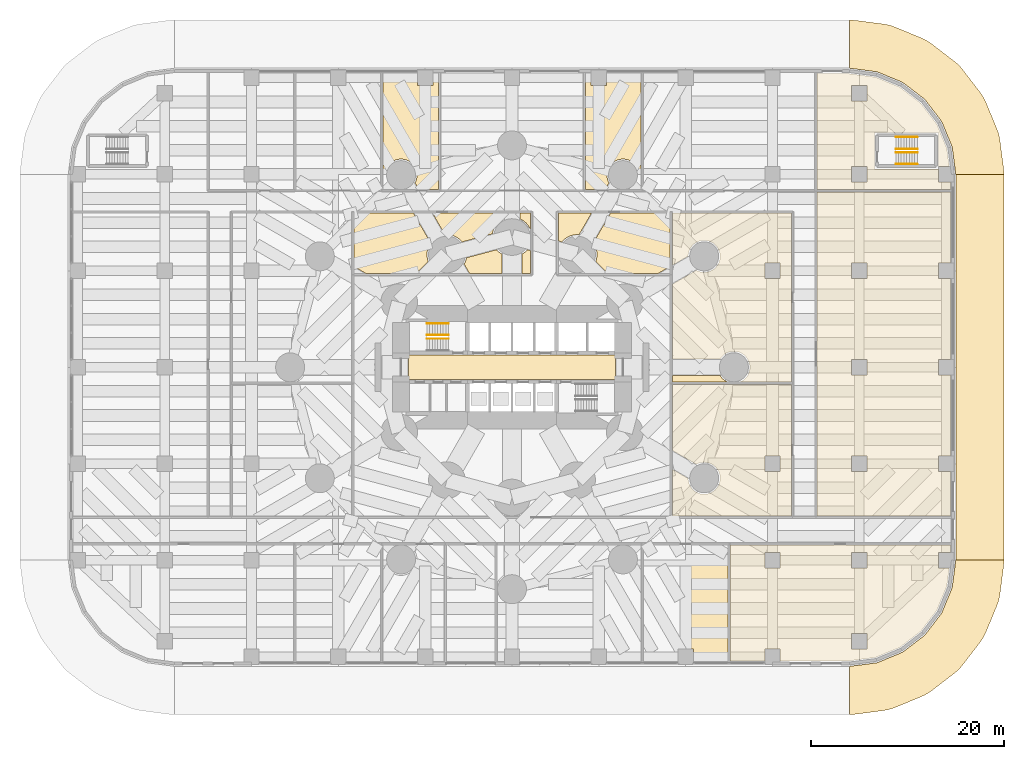
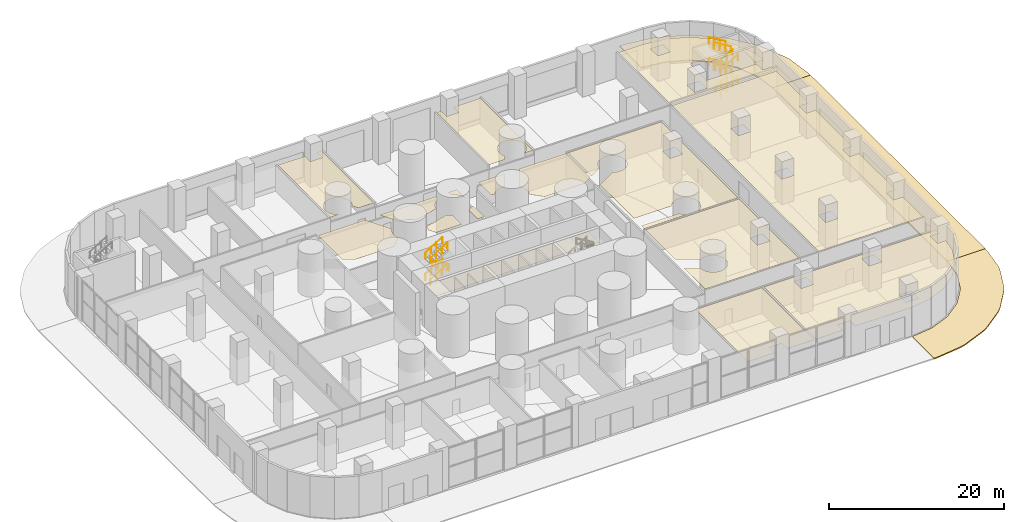
# One storey, part 18 of 20: 20 coverings, 13 railings.
"""IFC4 building model written with IfcOpenShell, lengths in metres."""

from ifc_helpers import new_model, si_unit, direction, frame, origin, origin_2d, place, context, subcontext, project, spatial, polyline, circle, outline, extrude, material, layer, layer_set, type_object, element, save


model = new_model("IFC4")

# Units and contexts
model_context = context("Model", 3, precision=1e-05, world=origin(), true_north=direction((0.0, 1.0)))
body_context = subcontext(model_context, "Body", "Model", "MODEL_VIEW")
ifc_project = project(units=[si_unit("LENGTHUNIT", "METRE"), si_unit("AREAUNIT", "SQUARE_METRE"), si_unit("VOLUMEUNIT", "CUBIC_METRE"), si_unit("PLANEANGLEUNIT", "RADIAN"), si_unit("MASSUNIT", "GRAM", prefix="KILO")], contexts=[model_context])

# Site, building, storey
site_placement = place(None, origin())
site = spatial("IfcSite", under=ifc_project, at=site_placement, CompositionType="ELEMENT")
building_placement = place(site_placement, origin())
building = spatial("IfcBuilding", under=site, at=building_placement, Name="Qaws Media Tower", CompositionType="ELEMENT")
storey_placement = place(building_placement, origin())
storey = spatial("IfcBuildingStorey", under=building, at=storey_placement, Name="L00", CompositionType="ELEMENT", Elevation=0.0)

# Coverings
ifc_material_1 = material(Name="600 x 600 mineral fibre tiles in exposed grid, suspended", Category="mineral fibre")
ifc_layer_1 = layer(ifc_material_1, 0.02001953125)
ifc_layer_set_1 = layer_set([ifc_layer_1], Name="Mineral fibre tile ceiling 20")
covering_type_1 = type_object("IfcCoveringType", Name="Mineral fibre tile ceiling 20", PredefinedType="CEILING", material=ifc_layer_set_1)
covering_1_placement = place(storey_placement, frame((0.0, 0.0, 3.60009765625)))
element("IfcCovering", 1, at=covering_1_placement, inside=storey, type_object=covering_type_1, Name="CL1 ceiling L00-00-1 Exit lobby S4", PredefinedType="CEILING", context=body_context, shape_type="SweptSolid", body=[
    extrude(outline(polyline([(97.698974609375, 80.072509765625), (100.2138671875, 79.030517578125), (102.37353515625, 77.37353515625), (104.030517578125, 75.2138671875), (105.072509765625, 72.698974609375), (105.322509765625, 70.800048828125), (104.219970703125, 70.800048828125), (104.219970703125, 74.320068359375), (97.580078125, 74.320068359375), (97.580078125, 70.580078125), (104.199951171875, 70.580078125), (104.199951171875, 69.199951171875), (105.429931640625, 69.199951171875), (105.429931640625, 68.419921875), (91.6201171875, 68.419921875), (91.6201171875, 80.429931640625), (94.982421875, 80.429931640625), (97.698974609375, 80.072509765625)]), holes=[polyline([(95.199951171875, 69.199951171875), (96.800048828125, 69.199951171875), (96.800048828125, 70.800048828125), (95.199951171875, 70.800048828125), (95.199951171875, 69.199951171875)]), polyline([(95.199951171875, 77.60009765625), (96.800048828125, 77.60009765625), (96.800048828125, 79.199951171875), (95.199951171875, 79.199951171875), (95.199951171875, 77.60009765625)])]), origin(), (0.0, 0.0, 1.0), 0.02001953125),
])
covering_2_placement = place(storey_placement, frame((0.0, 0.0, 3.60009765625)))
element("IfcCovering", 2, at=covering_2_placement, inside=storey, type_object=covering_type_1, Name="CL1 ceiling L00-12 Media shop", PredefinedType="CEILING", context=body_context, shape_type="SweptSolid", body=[
    extrude(outline(polyline([(88.97998046875, 34.570068359375), (76.6201171875, 34.570068359375), (76.6201171875, 39.4228515625), (78.26025390625, 38.47607421875), (78.272705078125, 38.283203125), (78.315185546875, 38.0703125), (78.385009765625, 37.86474609375), (78.48095703125, 37.669921875), (78.6015625, 37.489501953125), (78.744873046875, 37.326171875), (78.907958984375, 37.18310546875), (79.088623046875, 37.0625), (79.283203125, 36.96630859375), (79.489013671875, 36.896484375), (79.701904296875, 36.854248046875), (79.918701171875, 36.840087890625), (80.13525390625, 36.854248046875), (80.34814453125, 36.896484375), (80.5537109375, 36.96630859375), (80.74853515625, 37.0625), (80.92919921875, 37.18310546875), (81.09228515625, 37.326171875), (81.235595703125, 37.489501953125), (81.356201171875, 37.669921875), (81.4521484375, 37.86474609375), (81.52197265625, 38.0703125), (81.564453125, 38.283203125), (81.57861328125, 38.5), (81.564453125, 38.716796875), (81.52197265625, 38.9296875), (81.4521484375, 39.13525390625), (81.356201171875, 39.330078125), (81.235595703125, 39.510498046875), (81.09228515625, 39.673828125), (80.92919921875, 39.81689453125), (80.74853515625, 39.9375), (80.5537109375, 40.03369140625), (80.34814453125, 40.103515625), (80.13525390625, 40.145751953125), (79.918701171875, 40.159912109375), (79.701904296875, 40.145751953125), (79.489013671875, 40.103515625), (79.283203125, 40.03369140625), (79.110107421875, 39.9482421875), (76.6201171875, 41.385986328125), (76.6201171875, 48.22998046875), (88.97998046875, 48.22998046875), (88.97998046875, 34.570068359375)]), holes=[polyline([(87.800048828125, 39.199951171875), (87.800048828125, 40.800048828125), (86.199951171875, 40.800048828125), (86.199951171875, 39.199951171875), (87.800048828125, 39.199951171875)])]), origin(), (0.0, 0.0, 1.0), 0.02001953125),
])
covering_3_placement = place(storey_placement, frame((0.0, 0.0, 3.60009765625)))
element("IfcCovering", 3, at=covering_3_placement, inside=storey, type_object=covering_type_1, Name="CL1 ceiling L00-13 Outside broadcast workshop", PredefinedType="CEILING", context=body_context, shape_type="SweptSolid", body=[
    extrude(outline(polyline([(105.429931640625, 68.179931640625), (105.429931640625, 60.800048828125), (104.199951171875, 60.800048828125), (104.199951171875, 59.199951171875), (105.429931640625, 59.199951171875), (105.429931640625, 50.800048828125), (104.199951171875, 50.800048828125), (104.199951171875, 49.199951171875), (105.429931640625, 49.199951171875), (105.429931640625, 40.800048828125), (104.199951171875, 40.800048828125), (104.199951171875, 39.199951171875), (105.429931640625, 39.199951171875), (105.429931640625, 34.570068359375), (91.6201171875, 34.570068359375), (91.6201171875, 68.179931640625), (105.429931640625, 68.179931640625)]), holes=[polyline([(95.199951171875, 39.199951171875), (96.800048828125, 39.199951171875), (96.800048828125, 40.800048828125), (95.199951171875, 40.800048828125), (95.199951171875, 39.199951171875)]), polyline([(95.199951171875, 49.199951171875), (96.800048828125, 49.199951171875), (96.800048828125, 50.800048828125), (95.199951171875, 50.800048828125), (95.199951171875, 49.199951171875)]), polyline([(95.199951171875, 59.199951171875), (96.800048828125, 59.199951171875), (96.800048828125, 60.800048828125), (95.199951171875, 60.800048828125), (95.199951171875, 59.199951171875)])]), origin(), (0.0, 0.0, 1.0), 0.02001953125),
])
covering_4_placement = place(storey_placement, frame((0.0, 0.0, 3.60009765625)))
element("IfcCovering", 4, at=covering_4_placement, inside=storey, type_object=covering_type_1, Name="CL1 ceiling L00-18 Retail unit 2", PredefinedType="CEILING", context=body_context, shape_type="SweptSolid", body=[
    extrude(outline(polyline([(105.429931640625, 30.800048828125), (104.199951171875, 30.800048828125), (104.199951171875, 29.199951171875), (105.322509765625, 29.199951171875), (105.072509765625, 27.301025390625), (104.030517578125, 24.7861328125), (102.37353515625, 22.62646484375), (100.2138671875, 20.969482421875), (97.698974609375, 19.927490234375), (94.982421875, 19.570068359375), (87.800048828125, 19.570068359375), (87.800048828125, 20.800048828125), (86.199951171875, 20.800048828125), (86.199951171875, 19.570068359375), (82.6201171875, 19.570068359375), (82.6201171875, 31.580078125), (105.429931640625, 31.580078125), (105.429931640625, 30.800048828125)]), holes=[polyline([(95.199951171875, 20.800048828125), (96.800048828125, 20.800048828125), (96.800048828125, 22.39990234375), (95.199951171875, 22.39990234375), (95.199951171875, 20.800048828125)]), polyline([(95.199951171875, 30.800048828125), (95.199951171875, 29.199951171875), (96.800048828125, 29.199951171875), (96.800048828125, 30.800048828125), (95.199951171875, 30.800048828125)]), polyline([(86.199951171875, 29.199951171875), (87.800048828125, 29.199951171875), (87.800048828125, 30.800048828125), (86.199951171875, 30.800048828125), (86.199951171875, 29.199951171875)])]), origin(), (0.0, 0.0, 1.0), 0.02001953125),
])
ifc_material_2 = material(Name="Two layers 12.5 moisture-resistant plasterboard on suspended metal furring", Category="gypsum")
ifc_layer_2 = layer(ifc_material_2, 0.02490234375)
ifc_layer_set_2 = layer_set([ifc_layer_2], Name="Plasterboard ceiling 25")
covering_type_2 = type_object("IfcCoveringType", Name="Plasterboard ceiling 25", PredefinedType="CEILING", material=ifc_layer_set_2)
covering_5_placement = place(storey_placement, frame((0.0, 0.0, 3.60009765625)))
element("IfcCovering", 5, at=covering_5_placement, inside=storey, type_object=covering_type_2, Name="CL2 ceiling L00-C01 Lift lobby", PredefinedType="CEILING", context=body_context, shape_type="SweptSolid", body=[
    extrude(outline(polyline([(49.25, 48.75), (49.25, 51.25), (70.75, 51.25), (70.75, 48.75), (49.25, 48.75)])), origin(), (0.0, 0.0, 1.0), 0.02490234375),
])
covering_6_placement = place(storey_placement, frame((0.0, 0.0, 3.60009765625)))
element("IfcCovering", 6, at=covering_6_placement, inside=storey, type_object=covering_type_2, Name="CL2 ceiling L00-04 Courier office", PredefinedType="CEILING", context=body_context, shape_type="SweptSolid", body=[
    extrude(outline(polyline([(51.466064453125, 62.72119140625), (51.3466796875, 62.479736328125), (51.26025390625, 62.224609375), (51.20751953125, 61.960205078125), (51.18994140625, 61.69140625), (51.20751953125, 61.422607421875), (51.26025390625, 61.158203125), (51.32470703125, 60.968017578125), (50.07666015625, 59.719970703125), (44.864501953125, 59.719970703125), (43.6201171875, 60.4384765625), (43.6201171875, 65.97998046875), (49.79248046875, 65.97998046875), (51.577392578125, 62.88818359375), (51.466064453125, 62.72119140625)])), origin(), (0.0, 0.0, 1.0), 0.02490234375),
])
covering_7_placement = place(storey_placement, frame((0.0, 0.0, 3.60009765625)))
element("IfcCovering", 7, at=covering_7_placement, inside=storey, type_object=covering_type_2, Name="CL2 ceiling L00-04 Courier office", PredefinedType="CEILING", context=body_context, shape_type="SweptSolid", body=[
    extrude(outline(polyline([(58.969970703125, 65.283935546875), (58.74609375, 65.13427734375), (58.54345703125, 64.95654296875), (58.36572265625, 64.75390625), (58.216064453125, 64.530029296875), (58.0966796875, 64.288330078125), (58.01025390625, 64.033203125), (57.970947265625, 63.836181640625), (54.839111328125, 62.9970703125), (54.70654296875, 63.14794921875), (54.50390625, 63.32568359375), (54.280029296875, 63.475341796875), (54.038330078125, 63.594482421875), (53.783203125, 63.68115234375), (53.518798828125, 63.733642578125), (53.25, 63.751220703125), (53.0498046875, 63.73828125), (51.75537109375, 65.97998046875), (59.14990234375, 65.97998046875), (59.14990234375, 65.372802734375), (58.969970703125, 65.283935546875)])), origin(), (0.0, 0.0, 1.0), 0.02490234375),
])
covering_8_placement = place(storey_placement, frame((0.0, 0.0, 3.60009765625)))
element("IfcCovering", 8, at=covering_8_placement, inside=storey, type_object=covering_type_2, Name="CL2 ceiling L00-04 Courier office", PredefinedType="CEILING", context=body_context, shape_type="SweptSolid", body=[
    extrude(outline(polyline([(58.54345703125, 62.04345703125), (58.74609375, 61.86572265625), (58.949951171875, 61.7294921875), (58.949951171875, 59.719970703125), (55.6005859375, 59.719970703125), (55.044677734375, 60.682861328125), (55.1533203125, 60.903076171875), (55.23974609375, 61.158203125), (55.279052734375, 61.35498046875), (58.410888671875, 62.1943359375), (58.54345703125, 62.04345703125)])), origin(), (0.0, 0.0, 1.0), 0.02490234375),
])
covering_9_placement = place(storey_placement, frame((0.0, 0.0, 3.60009765625)))
element("IfcCovering", 9, at=covering_9_placement, inside=storey, type_object=covering_type_2, Name="CL2 ceiling L00-04 Courier office", PredefinedType="CEILING", context=body_context, shape_type="SweptSolid", body=[
    extrude(outline(polyline([(61.25390625, 61.86572265625), (61.45654296875, 62.04345703125), (61.589111328125, 62.1943359375), (61.929931640625, 62.102783203125), (61.929931640625, 59.719970703125), (61.050048828125, 59.719970703125), (61.050048828125, 61.7294921875), (61.25390625, 61.86572265625)])), origin(), (0.0, 0.0, 1.0), 0.02490234375),
])
covering_10_placement = place(storey_placement, frame((0.0, 0.0, 3.60009765625)))
element("IfcCovering", 10, at=covering_10_placement, inside=storey, type_object=covering_type_2, Name="CL2 ceiling L00-04 Courier office", PredefinedType="CEILING", context=body_context, shape_type="SweptSolid", body=[
    extrude(outline(polyline([(61.929931640625, 64.20947265625), (61.9033203125, 64.288330078125), (61.783935546875, 64.530029296875), (61.63427734375, 64.75390625), (61.45654296875, 64.95654296875), (61.25390625, 65.13427734375), (61.030029296875, 65.283935546875), (60.85009765625, 65.372802734375), (60.85009765625, 65.97998046875), (61.929931640625, 65.97998046875), (61.929931640625, 64.20947265625)])), origin(), (0.0, 0.0, 1.0), 0.02490234375),
])
covering_11_placement = place(storey_placement, frame((0.0, 0.0, 3.60009765625)))
element("IfcCovering", 11, at=covering_11_placement, inside=storey, type_object=covering_type_2, Name="CL2 ceiling L00-06 Facilities management office", PredefinedType="CEILING", context=body_context, shape_type="SweptSolid", body=[
    extrude(outline(polyline([(76.3798828125, 60.4384765625), (75.135498046875, 59.719970703125), (69.92333984375, 59.719970703125), (68.67529296875, 60.968017578125), (68.73974609375, 61.158203125), (68.79248046875, 61.422607421875), (68.81005859375, 61.69140625), (68.79248046875, 61.960205078125), (68.73974609375, 62.224609375), (68.6533203125, 62.479736328125), (68.533935546875, 62.72119140625), (68.422607421875, 62.88818359375), (70.20751953125, 65.97998046875), (76.3798828125, 65.97998046875), (76.3798828125, 60.4384765625)])), origin(), (0.0, 0.0, 1.0), 0.02490234375),
])
covering_12_placement = place(storey_placement, frame((0.0, 0.0, 3.60009765625)))
element("IfcCovering", 12, at=covering_12_placement, inside=storey, type_object=covering_type_2, Name="CL2 ceiling L00-06 Facilities management office", PredefinedType="CEILING", context=body_context, shape_type="SweptSolid", body=[
    extrude(outline(polyline([(66.75, 63.751220703125), (66.481201171875, 63.733642578125), (66.216796875, 63.68115234375), (65.961669921875, 63.594482421875), (65.719970703125, 63.475341796875), (65.49609375, 63.32568359375), (65.29345703125, 63.14794921875), (65.160888671875, 62.9970703125), (64.820068359375, 63.08837890625), (64.820068359375, 65.97998046875), (68.24462890625, 65.97998046875), (66.9501953125, 63.73828125), (66.75, 63.751220703125)])), origin(), (0.0, 0.0, 1.0), 0.02490234375),
])
covering_13_placement = place(storey_placement, frame((0.0, 0.0, 3.60009765625)))
element("IfcCovering", 13, at=covering_13_placement, inside=storey, type_object=covering_type_2, Name="CL2 ceiling L00-09 Goods inwards office", PredefinedType="CEILING", context=body_context, shape_type="SweptSolid", body=[
    extrude(outline(polyline([(50.199951171875, 80.429931640625), (50.199951171875, 79.199951171875), (51.800048828125, 79.199951171875), (51.800048828125, 80.429931640625), (52.3798828125, 80.429931640625), (52.3798828125, 68.419921875), (50.3466796875, 68.419921875), (49.9482421875, 69.110107421875), (50.03369140625, 69.283203125), (50.103515625, 69.489013671875), (50.145751953125, 69.701904296875), (50.159912109375, 69.918701171875), (50.145751953125, 70.13525390625), (50.103515625, 70.34814453125), (50.03369140625, 70.5537109375), (49.9375, 70.74853515625), (49.81689453125, 70.92919921875), (49.673828125, 71.09228515625), (49.510498046875, 71.235595703125), (49.330078125, 71.356201171875), (49.13525390625, 71.4521484375), (48.9296875, 71.52197265625), (48.716796875, 71.564453125), (48.5, 71.57861328125), (48.283203125, 71.564453125), (48.0703125, 71.52197265625), (47.86474609375, 71.4521484375), (47.669921875, 71.356201171875), (47.489501953125, 71.235595703125), (47.326171875, 71.09228515625), (47.18310546875, 70.92919921875), (47.0625, 70.74853515625), (46.96630859375, 70.5537109375), (46.896484375, 70.34814453125), (46.854248046875, 70.13525390625), (46.840087890625, 69.918701171875), (46.854248046875, 69.701904296875), (46.896484375, 69.489013671875), (46.96630859375, 69.283203125), (47.0625, 69.088623046875), (47.18310546875, 68.907958984375), (47.326171875, 68.744873046875), (47.489501953125, 68.6015625), (47.669921875, 68.48095703125), (47.793701171875, 68.419921875), (46.6201171875, 68.419921875), (46.6201171875, 80.429931640625), (50.199951171875, 80.429931640625)])), origin(), (0.0, 0.0, 1.0), 0.02490234375),
])
covering_14_placement = place(storey_placement, frame((0.0, 0.0, 3.60009765625)))
element("IfcCovering", 14, at=covering_14_placement, inside=storey, type_object=covering_type_2, Name="CL2 ceiling L00-11 Mail sorting office", PredefinedType="CEILING", context=body_context, shape_type="SweptSolid", body=[
    extrude(outline(polyline([(68.199951171875, 80.429931640625), (68.199951171875, 79.199951171875), (69.800048828125, 79.199951171875), (69.800048828125, 80.429931640625), (73.3798828125, 80.429931640625), (73.3798828125, 68.419921875), (72.206298828125, 68.419921875), (72.330078125, 68.48095703125), (72.510498046875, 68.6015625), (72.673828125, 68.744873046875), (72.81689453125, 68.907958984375), (72.9375, 69.088623046875), (73.03369140625, 69.283203125), (73.103515625, 69.489013671875), (73.145751953125, 69.701904296875), (73.159912109375, 69.918701171875), (73.145751953125, 70.13525390625), (73.103515625, 70.34814453125), (73.03369140625, 70.5537109375), (72.9375, 70.74853515625), (72.81689453125, 70.92919921875), (72.673828125, 71.09228515625), (72.510498046875, 71.235595703125), (72.330078125, 71.356201171875), (72.13525390625, 71.4521484375), (71.9296875, 71.52197265625), (71.716796875, 71.564453125), (71.5, 71.57861328125), (71.283203125, 71.564453125), (71.0703125, 71.52197265625), (70.86474609375, 71.4521484375), (70.669921875, 71.356201171875), (70.489501953125, 71.235595703125), (70.326171875, 71.09228515625), (70.18310546875, 70.92919921875), (70.0625, 70.74853515625), (69.96630859375, 70.5537109375), (69.896484375, 70.34814453125), (69.854248046875, 70.13525390625), (69.840087890625, 69.918701171875), (69.854248046875, 69.701904296875), (69.896484375, 69.489013671875), (69.96630859375, 69.283203125), (70.0517578125, 69.110107421875), (69.6533203125, 68.419921875), (67.6201171875, 68.419921875), (67.6201171875, 80.429931640625), (68.199951171875, 80.429931640625)])), origin(), (0.0, 0.0, 1.0), 0.02490234375),
])
covering_15_placement = place(storey_placement, frame((0.0, 0.0, 3.60009765625)))
element("IfcCovering", 15, at=covering_15_placement, inside=storey, type_object=covering_type_2, Name="CL2 ceiling L00-19 Security office", PredefinedType="CEILING", context=body_context, shape_type="SweptSolid", body=[
    extrude(outline(polyline([(82.3798828125, 19.570068359375), (78.800048828125, 19.570068359375), (78.800048828125, 20.800048828125), (77.199951171875, 20.800048828125), (77.199951171875, 19.570068359375), (73.6201171875, 19.570068359375), (73.6201171875, 31.580078125), (82.3798828125, 31.580078125), (82.3798828125, 19.570068359375)])), origin(), (0.0, 0.0, 1.0), 0.02490234375),
])
covering_16_placement = place(storey_placement, frame((0.0, 0.0, 3.60009765625)))
element("IfcCovering", 16, at=covering_16_placement, inside=storey, type_object=covering_type_2, Name="CL2 ceiling L00-22 Visitor ticket office", PredefinedType="CEILING", context=body_context, shape_type="SweptSolid", body=[
    extrude(outline(polyline([(88.97998046875, 48.469970703125), (83.642578125, 48.469970703125), (83.830078125, 48.5625), (84.010498046875, 48.68310546875), (84.173828125, 48.826171875), (84.31689453125, 48.989501953125), (84.4375, 49.169921875), (84.53369140625, 49.36474609375), (84.603515625, 49.5703125), (84.645751953125, 49.783203125), (84.659912109375, 50.0), (84.645751953125, 50.216796875), (84.603515625, 50.4296875), (84.53369140625, 50.63525390625), (84.4375, 50.830078125), (84.31689453125, 51.010498046875), (84.173828125, 51.173828125), (84.010498046875, 51.31689453125), (83.830078125, 51.4375), (83.63525390625, 51.53369140625), (83.4296875, 51.603515625), (83.216796875, 51.645751953125), (83.0, 51.659912109375), (82.783203125, 51.645751953125), (82.5703125, 51.603515625), (82.36474609375, 51.53369140625), (82.169921875, 51.4375), (81.989501953125, 51.31689453125), (81.826171875, 51.173828125), (81.68310546875, 51.010498046875), (81.57568359375, 50.85009765625), (76.6201171875, 50.85009765625), (76.6201171875, 58.614013671875), (79.110107421875, 60.0517578125), (79.283203125, 59.96630859375), (79.489013671875, 59.896484375), (79.701904296875, 59.854248046875), (79.918701171875, 59.840087890625), (80.13525390625, 59.854248046875), (80.34814453125, 59.896484375), (80.5537109375, 59.96630859375), (80.74853515625, 60.0625), (80.92919921875, 60.18310546875), (81.09228515625, 60.326171875), (81.235595703125, 60.489501953125), (81.356201171875, 60.669921875), (81.4521484375, 60.86474609375), (81.52197265625, 61.0703125), (81.564453125, 61.283203125), (81.57861328125, 61.5), (81.564453125, 61.716796875), (81.52197265625, 61.9296875), (81.4521484375, 62.13525390625), (81.356201171875, 62.330078125), (81.235595703125, 62.510498046875), (81.09228515625, 62.673828125), (80.92919921875, 62.81689453125), (80.74853515625, 62.9375), (80.5537109375, 63.03369140625), (80.34814453125, 63.103515625), (80.13525390625, 63.145751953125), (79.918701171875, 63.159912109375), (79.701904296875, 63.145751953125), (79.489013671875, 63.103515625), (79.283203125, 63.03369140625), (79.088623046875, 62.9375), (78.907958984375, 62.81689453125), (78.744873046875, 62.673828125), (78.6015625, 62.510498046875), (78.48095703125, 62.330078125), (78.385009765625, 62.13525390625), (78.315185546875, 61.9296875), (78.272705078125, 61.716796875), (78.26025390625, 61.52392578125), (76.6201171875, 60.5771484375), (76.6201171875, 65.97998046875), (88.97998046875, 65.97998046875), (88.97998046875, 48.469970703125)]), holes=[polyline([(86.199951171875, 59.199951171875), (87.800048828125, 59.199951171875), (87.800048828125, 60.800048828125), (86.199951171875, 60.800048828125), (86.199951171875, 59.199951171875)])]), origin(), (0.0, 0.0, 1.0), 0.02490234375),
])
covering_17_placement = place(storey_placement, frame((0.0, 0.0, 3.60009765625)))
element("IfcCovering", 17, at=covering_17_placement, inside=storey, type_object=covering_type_2, Name="CL2 ceiling L00-22 Visitor ticket office", PredefinedType="CEILING", context=body_context, shape_type="SweptSolid", body=[
    extrude(outline(polyline([(81.68310546875, 48.989501953125), (81.826171875, 48.826171875), (81.989501953125, 48.68310546875), (82.169921875, 48.5625), (82.357421875, 48.469970703125), (76.6201171875, 48.469970703125), (76.6201171875, 49.14990234375), (81.57568359375, 49.14990234375), (81.68310546875, 48.989501953125)])), origin(), (0.0, 0.0, 1.0), 0.02490234375),
])
ifc_material_3 = material(Name="Granite setts on concrete bed", Category="masonry")
ifc_layer_3 = layer(ifc_material_3, 0.14990234375)
ifc_layer_set_3 = layer_set([ifc_layer_3], Name="Plaza paving 150")
covering_type_3 = type_object("IfcCoveringType", Name="Plaza paving 150", PredefinedType="USERDEFINED", material=ifc_layer_set_3)
covering_18_placement = place(storey_placement, frame((0.0, 0.0, -0.14990234375)))
element("IfcCovering", 18, at=covering_18_placement, inside=storey, type_object=covering_type_3, Name="PV1 plaza paving, east street", ObjectType="PAVING", PredefinedType="USERDEFINED", context=body_context, shape_type="SweptSolid", body=[
    extrude(outline(polyline([(111.0, 30.0), (106.0, 30.0), (106.0, 70.0), (111.0, 70.0), (111.0, 30.0)])), origin(), (0.0, 0.0, 1.0), 0.14990234375),
])
covering_19_placement = place(storey_placement, frame((0.0, 0.0, -0.14990234375)))
element("IfcCovering", 19, at=covering_19_placement, inside=storey, type_object=covering_type_3, Name="PV1 plaza paving, south-east corner", ObjectType="PAVING", PredefinedType="USERDEFINED", context=body_context, shape_type="SweptSolid", body=[
    extrude(outline(polyline([(110.957275390625, 29.347412109375), (110.58251953125, 26.50048828125), (110.506591796875, 26.07080078125), (110.393798828125, 25.6494140625), (110.24462890625, 25.239501953125), (109.145751953125, 22.586669921875), (108.961181640625, 22.19140625), (108.7431640625, 21.8134765625), (108.492919921875, 21.456298828125), (106.744873046875, 19.177978515625), (106.464599609375, 18.843994140625), (106.156005859375, 18.535400390625), (105.822021484375, 18.255126953125), (103.543701171875, 16.507080078125), (103.1865234375, 16.2568359375), (102.80859375, 16.038818359375), (102.413330078125, 15.854248046875), (99.760498046875, 14.75537109375), (99.3505859375, 14.606201171875), (98.92919921875, 14.493408203125), (98.49951171875, 14.41748046875), (95.652587890625, 14.042724609375), (95.0, 14.0), (95.0, 19.0), (97.846923828125, 19.374755859375), (100.5, 20.4736328125), (102.7783203125, 22.2216796875), (104.5263671875, 24.5), (105.625244140625, 27.153076171875), (106.0, 30.0), (111.0, 30.0), (110.957275390625, 29.347412109375)])), origin(), (0.0, 0.0, 1.0), 0.14990234375),
])
covering_20_placement = place(storey_placement, frame((0.0, 0.0, -0.14990234375)))
element("IfcCovering", 20, at=covering_20_placement, inside=storey, type_object=covering_type_3, Name="PV1 plaza paving, north-east corner", ObjectType="PAVING", PredefinedType="USERDEFINED", context=body_context, shape_type="SweptSolid", body=[
    extrude(outline(polyline([(95.652587890625, 85.957275390625), (98.49951171875, 85.58251953125), (98.92919921875, 85.506591796875), (99.3505859375, 85.393798828125), (99.760498046875, 85.24462890625), (102.413330078125, 84.145751953125), (102.80859375, 83.961181640625), (103.1865234375, 83.7431640625), (103.543701171875, 83.492919921875), (105.822021484375, 81.744873046875), (106.156005859375, 81.464599609375), (106.464599609375, 81.156005859375), (106.744873046875, 80.822021484375), (108.492919921875, 78.543701171875), (108.7431640625, 78.1865234375), (108.961181640625, 77.80859375), (109.145751953125, 77.413330078125), (110.24462890625, 74.760498046875), (110.393798828125, 74.3505859375), (110.506591796875, 73.92919921875), (110.58251953125, 73.49951171875), (110.957275390625, 70.652587890625), (111.0, 70.0), (106.0, 70.0), (105.625244140625, 72.846923828125), (104.5263671875, 75.5), (102.7783203125, 77.7783203125), (100.5, 79.5263671875), (97.846923828125, 80.625244140625), (95.0, 81.0), (95.0, 86.0), (95.652587890625, 85.957275390625)])), origin(), (0.0, 0.0, 1.0), 0.14990234375),
])

# Railings
ifc_material_4 = material(Name="Steel tube handrail", Category="steel")
railing_type = type_object("IfcRailingType", Name="Stair handrail 900", PredefinedType="HANDRAIL", material=ifc_material_4)
for number, where, name in (
    (21, (51.179931640625, 54.550048828125, 1.666748046875), "HR1 handrail S1 flight 2 L00"),
    (22, (51.179931640625, 53.340087890625, 1.666748046875), "HR1 handrail S1 flight 2 L00"),
):
    element("IfcRailing", number, at=place(storey_placement, frame(where)), inside=storey, type_object=railing_type, Name=name, PredefinedType="HANDRAIL", context=body_context, shape_type="SweptSolid", body=[
        extrude(circle(Radius=0.02392578125, at=origin_2d()), frame((0.0, 0.0, 0.8759765625), z_axis=(0.859305625298, 0.0, 0.511462454469), x_axis=(0.0, 1.0, 0.0)), (0.0, 0.0, 1.0), 2.606689453125),
        extrude(circle(Radius=0.02099609375, at=origin_2d()), origin(), (0.0, 0.0, 1.0), 0.851806640625),
        extrude(circle(Radius=0.02099609375, at=origin_2d()), frame((0.74658203125, 0.0, 0.4443359375)), (0.0, 0.0, 1.0), 0.851806640625),
        extrude(circle(Radius=0.02099609375, at=origin_2d()), frame((1.493408203125, 0.0, 0.888916015625)), (0.0, 0.0, 1.0), 0.851806640625),
        extrude(circle(Radius=0.02099609375, at=origin_2d()), frame((2.239990234375, 0.0, 1.333251953125)), (0.0, 0.0, 1.0), 0.851806640625),
    ])
railing_placement = place(storey_placement, frame((53.419921875, 52.9599609375, 3.166748046875)))
element("IfcRailing", 23, at=railing_placement, inside=storey, type_object=railing_type, Name="HR1 handrail S1 flight 3 L00", PredefinedType="HANDRAIL", context=body_context, shape_type="SweptSolid", body=[
    extrude(circle(Radius=0.02392578125, at=origin_2d()), frame((0.0, 0.0, 0.8759765625), z_axis=(-0.859305625298, 0.0, 0.511462454469), x_axis=(0.0, -1.0, 0.0)), (0.0, 0.0, 1.0), 2.606689453125),
    extrude(circle(Radius=0.02099609375, at=origin_2d()), origin(), (0.0, 0.0, 1.0), 0.851806640625),
    extrude(circle(Radius=0.02099609375, at=origin_2d()), frame((-0.74658203125, 0.0, 0.4443359375)), (0.0, 0.0, 1.0), 0.851806640625),
    extrude(circle(Radius=0.02099609375, at=origin_2d()), frame((-1.493408203125, 0.0, 0.888916015625)), (0.0, 0.0, 1.0), 0.851806640625),
    extrude(circle(Radius=0.02099609375, at=origin_2d()), frame((-2.239990234375, 0.0, 1.333251953125)), (0.0, 0.0, 1.0), 0.851806640625),
])
for number, where, name in (
    (24, (51.179931640625, 54.550048828125, 4.666748046875), "HR1 handrail S1 flight 4 L00"),
    (25, (51.179931640625, 53.340087890625, 4.666748046875), "HR1 handrail S1 flight 4 L00"),
    (26, (99.780029296875, 71.050048828125, 0.166748046875), "HR1 handrail S4 flight 1 L00"),
    (27, (99.780029296875, 72.260009765625, 0.166748046875), "HR1 handrail S4 flight 1 L00"),
):
    element("IfcRailing", number, at=place(storey_placement, frame(where)), inside=storey, type_object=railing_type, Name=name, PredefinedType="HANDRAIL", context=body_context, shape_type="SweptSolid", body=[
        extrude(circle(Radius=0.02392578125, at=origin_2d()), frame((0.0, 0.0, 0.8759765625), z_axis=(0.859305625298, 0.0, 0.511462454469), x_axis=(0.0, 1.0, 0.0)), (0.0, 0.0, 1.0), 2.606689453125),
        extrude(circle(Radius=0.02099609375, at=origin_2d()), origin(), (0.0, 0.0, 1.0), 0.851806640625),
        extrude(circle(Radius=0.02099609375, at=origin_2d()), frame((0.74658203125, 0.0, 0.4443359375)), (0.0, 0.0, 1.0), 0.851806640625),
        extrude(circle(Radius=0.02099609375, at=origin_2d()), frame((1.493408203125, 0.0, 0.888916015625)), (0.0, 0.0, 1.0), 0.851806640625),
        extrude(circle(Radius=0.02099609375, at=origin_2d()), frame((2.239990234375, 0.0, 1.333251953125)), (0.0, 0.0, 1.0), 0.851806640625),
    ])
for number, where, name in (
    (28, (102.02001953125, 73.85009765625, 1.666748046875), "HR1 handrail S4 flight 2 L00"),
    (29, (102.02001953125, 72.639892578125, 1.666748046875), "HR1 handrail S4 flight 2 L00"),
):
    element("IfcRailing", number, at=place(storey_placement, frame(where)), inside=storey, type_object=railing_type, Name=name, PredefinedType="HANDRAIL", context=body_context, shape_type="SweptSolid", body=[
        extrude(circle(Radius=0.02392578125, at=origin_2d()), frame((0.0, 0.0, 0.8759765625), z_axis=(-0.859305625298, 0.0, 0.511462454469), x_axis=(0.0, -1.0, 0.0)), (0.0, 0.0, 1.0), 2.606689453125),
        extrude(circle(Radius=0.02099609375, at=origin_2d()), origin(), (0.0, 0.0, 1.0), 0.851806640625),
        extrude(circle(Radius=0.02099609375, at=origin_2d()), frame((-0.74658203125, 0.0, 0.4443359375)), (0.0, 0.0, 1.0), 0.851806640625),
        extrude(circle(Radius=0.02099609375, at=origin_2d()), frame((-1.493408203125, 0.0, 0.888916015625)), (0.0, 0.0, 1.0), 0.851806640625),
        extrude(circle(Radius=0.02099609375, at=origin_2d()), frame((-2.239990234375, 0.0, 1.333251953125)), (0.0, 0.0, 1.0), 0.851806640625),
    ])
for number, where, name in (
    (30, (99.780029296875, 71.050048828125, 3.166748046875), "HR1 handrail S4 flight 3 L00"),
    (31, (99.780029296875, 72.260009765625, 3.166748046875), "HR1 handrail S4 flight 3 L00"),
):
    element("IfcRailing", number, at=place(storey_placement, frame(where)), inside=storey, type_object=railing_type, Name=name, PredefinedType="HANDRAIL", context=body_context, shape_type="SweptSolid", body=[
        extrude(circle(Radius=0.02392578125, at=origin_2d()), frame((0.0, 0.0, 0.8759765625), z_axis=(0.859305625298, 0.0, 0.511462454469), x_axis=(0.0, 1.0, 0.0)), (0.0, 0.0, 1.0), 2.606689453125),
        extrude(circle(Radius=0.02099609375, at=origin_2d()), origin(), (0.0, 0.0, 1.0), 0.851806640625),
        extrude(circle(Radius=0.02099609375, at=origin_2d()), frame((0.74658203125, 0.0, 0.4443359375)), (0.0, 0.0, 1.0), 0.851806640625),
        extrude(circle(Radius=0.02099609375, at=origin_2d()), frame((1.493408203125, 0.0, 0.888916015625)), (0.0, 0.0, 1.0), 0.851806640625),
        extrude(circle(Radius=0.02099609375, at=origin_2d()), frame((2.239990234375, 0.0, 1.333251953125)), (0.0, 0.0, 1.0), 0.851806640625),
    ])
for number, where, name in (
    (32, (102.02001953125, 73.85009765625, 4.666748046875), "HR1 handrail S4 flight 4 L00"),
    (33, (102.02001953125, 72.639892578125, 4.666748046875), "HR1 handrail S4 flight 4 L00"),
):
    element("IfcRailing", number, at=place(storey_placement, frame(where)), inside=storey, type_object=railing_type, Name=name, PredefinedType="HANDRAIL", context=body_context, shape_type="SweptSolid", body=[
        extrude(circle(Radius=0.02392578125, at=origin_2d()), frame((0.0, 0.0, 0.8759765625), z_axis=(-0.859305625298, 0.0, 0.511462454469), x_axis=(0.0, -1.0, 0.0)), (0.0, 0.0, 1.0), 2.606689453125),
        extrude(circle(Radius=0.02099609375, at=origin_2d()), origin(), (0.0, 0.0, 1.0), 0.851806640625),
        extrude(circle(Radius=0.02099609375, at=origin_2d()), frame((-0.74658203125, 0.0, 0.4443359375)), (0.0, 0.0, 1.0), 0.851806640625),
        extrude(circle(Radius=0.02099609375, at=origin_2d()), frame((-1.493408203125, 0.0, 0.888916015625)), (0.0, 0.0, 1.0), 0.851806640625),
        extrude(circle(Radius=0.02099609375, at=origin_2d()), frame((-2.239990234375, 0.0, 1.333251953125)), (0.0, 0.0, 1.0), 0.851806640625),
    ])

save(model, "model.ifc")
